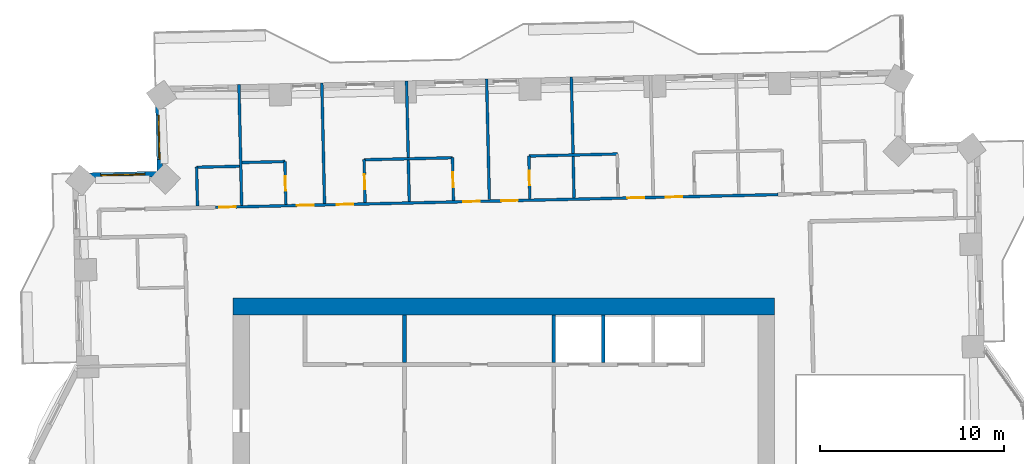
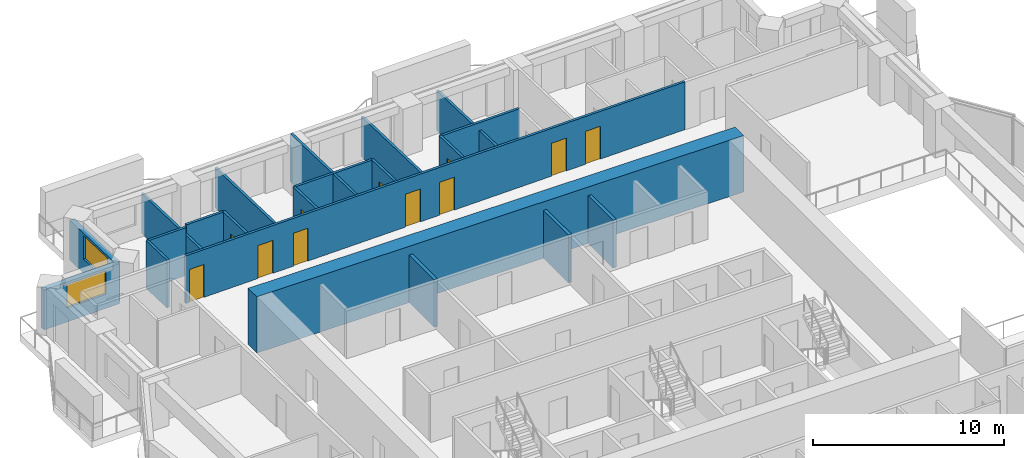
# One storey, part 8 of 14: 21 walls, 11 doors, 2 windows, 13 openings.
"""IFC4 building model written with IfcOpenShell, lengths in metres."""

from ifc_helpers import new_model, si_unit, direction, frame, frame_2d, origin, place, context, subcontext, project, spatial, rectangle, extrude, material, layer, layer_set, type_object, element, fill, save


model = new_model("IFC4")

# Units and contexts
model_context = context("Model", 3, precision=1e-05, world=origin(), true_north=direction((0.0, 1.0)))
body_context = subcontext(model_context, "Body", "Model", "MODEL_VIEW")
ifc_project = project(units=[si_unit("LENGTHUNIT", "METRE"), si_unit("AREAUNIT", "SQUARE_METRE"), si_unit("VOLUMEUNIT", "CUBIC_METRE"), si_unit("PLANEANGLEUNIT", "RADIAN"), si_unit("MASSUNIT", "GRAM", prefix="KILO")], contexts=[model_context])

# Site, building, storey
site_placement = place(None, origin())
site = spatial("IfcSite", under=ifc_project, at=site_placement, CompositionType="ELEMENT")
building_placement = place(site_placement, origin())
building = spatial("IfcBuilding", under=site, at=building_placement, Name="Mangrove Gate Tower", CompositionType="ELEMENT")
storey_placement = place(building_placement, frame((0.0, 0.0, 182.5)))
storey = spatial("IfcBuildingStorey", under=building, at=storey_placement, Name="L46", CompositionType="ELEMENT", Elevation=182.5)

# Walls
ifc_material_1 = material(Name="Concrete C32/40", Category="concrete")
ifc_layer_1 = layer(ifc_material_1, 0.199951171875)
ifc_layer_set_1 = layer_set([ifc_layer_1], Name="Core room wall 200 C32/40")
wall_type_1 = type_object("IfcWallType", Name="Core room wall 200 C32/40", PredefinedType="STANDARD", material=ifc_layer_set_1)
wall_1_placement = place(storey_placement, frame((-5.39990234375, 8.199951171875, 0.0), z_axis=(0.0, 0.0, 1.0), x_axis=(0.0, 1.0, 0.0)))
element("IfcWall", 1, at=wall_1_placement, inside=storey, type_object=wall_type_1, Name="WALL-L46-CORE-26", PredefinedType="STANDARD", context=body_context, shape_type="SweptSolid", body=[
    extrude(rectangle(XDim=2.60009765625, YDim=0.199951171875, at=frame_2d((1.300048828125, 0.0))), origin(), (0.0, 0.0, 1.0), 3.050048828125),
])
ifc_material_2 = material(Name="Concrete C60/75", Category="concrete")
ifc_layer_2 = layer(ifc_material_2, 0.199951171875)
ifc_layer_set_2 = layer_set([ifc_layer_2], Name="Core shaft wall 200 C60/75")
wall_type_2 = type_object("IfcWallType", Name="Core shaft wall 200 C60/75", PredefinedType="SHEAR", material=ifc_layer_set_2)
for number, where, z_axis, x_axis, name in (
    (2, (2.699951171875, 8.199951171875, 0.0), (0.0, 0.0, 1.0), (0.0, 1.0, 0.0), "WALL-L46-CORE-27"),
    (3, (5.39990234375, 8.199951171875, 0.0), (0.0, 0.0, 1.0), (0.0, 1.0, 0.0), "WALL-L46-CORE-28"),
):
    element("IfcWall", number, at=place(storey_placement, frame(where, z_axis=z_axis, x_axis=x_axis)), inside=storey, type_object=wall_type_2, Name=name, PredefinedType="SHEAR", context=body_context, shape_type="SweptSolid", body=[
        extrude(rectangle(XDim=2.60009765625, YDim=0.199951171875, at=frame_2d((1.300048828125, 0.0))), origin(), (0.0, 0.0, 1.0), 3.050048828125),
    ])
ifc_material_3 = material(Name="Concrete C60/75", Category="concrete")
ifc_layer_3 = layer(ifc_material_3, 0.89990234375)
ifc_layer_set_3 = layer_set([ifc_layer_3], Name="Core wall 900 C60/75")
wall_type_3 = type_object("IfcWallType", Name="Core wall 900 C60/75", PredefinedType="SHEAR", material=ifc_layer_set_3)
wall_2_placement = place(storey_placement, frame((-14.699951171875, 11.25, 0.0), z_axis=(0.0, 0.0, 1.0), x_axis=(1.0, 0.0, 0.0)))
element("IfcWall", 4, at=wall_2_placement, inside=storey, type_object=wall_type_3, Name="WALL-L46-CORE-2", PredefinedType="SHEAR", context=body_context, shape_type="SweptSolid", body=[
    extrude(rectangle(XDim=29.39990234375, YDim=0.89990234375, at=frame_2d((14.699951171875, 0.0))), origin(), (0.0, 0.0, 1.0), 3.60009765625),
])

# Wall, opening, window
ifc_material_4 = material(Name="Limestone", Category="masonry")
ifc_layer_4 = layer(ifc_material_4, 0.0400390625, Name="Limestone cladding")
ifc_material_5 = material(Name="Ventilated air gap")
ifc_layer_5 = layer(ifc_material_5, 0.0400390625, Name="Ventilated cavity")
ifc_material_6 = material(Name="Mineral wool insulation")
ifc_layer_6 = layer(ifc_material_6, 0.06005859375, Name="Insulation")
ifc_material_7 = material(Name="Breather membrane")
ifc_layer_7 = layer(ifc_material_7, 0.001953125, Name="Breather membrane")
ifc_material_8 = material(Name="Concrete C20/25 blockwork", Category="masonry")
ifc_layer_8 = layer(ifc_material_8, 0.14990234375, Name="Blockwork backing wall")
ifc_material_9 = material(Name="Gypsum plaster")
ifc_layer_9 = layer(ifc_material_9, 0.008056640625, Name="Internal plaster")
ifc_layer_set_4 = layer_set([ifc_layer_4, ifc_layer_5, ifc_layer_6, ifc_layer_7, ifc_layer_8, ifc_layer_9], Name="External wall 300 limestone cladding")
wall_type_4 = type_object("IfcWallType", Name="External wall 300 limestone cladding", PredefinedType="SOLIDWALL", material=ifc_layer_set_4)
wall_3_placement = place(storey_placement, frame((-18.781005859375, 23.04296875, 0.0), z_axis=(0.0, 0.0, 1.0), x_axis=(0.022821468877, -0.999739556364, 0.0)))
wall_3 = element("IfcWall", 5, at=wall_3_placement, inside=storey, type_object=wall_type_4, Name="WALL-L46-W6", PredefinedType="SOLIDWALL", context=body_context, shape_type="SweptSolid", body=[
    extrude(rectangle(XDim=4.60009765625, YDim=0.300048828125, at=frame_2d((2.300048828125, 0.0))), origin(), (0.0, 0.0, 1.0), 2.550048828125),
])
opening_1_placement = place(wall_3_placement, frame((1.403076171875, 0.0, 0.89990234375)))
opening_1 = element("IfcOpeningElement", 6, at=opening_1_placement, cuts=wall_3, Name="Opening W2", PredefinedType="OPENING", context=body_context, shape_type="SweptSolid", body=[
    extrude(rectangle(XDim=2.39990234375, YDim=1.5, at=frame_2d((1.199951171875, 0.75))), frame((0.0, 0.159912109375, 0.0), z_axis=(0.0, -1.0, 0.0), x_axis=(1.0, 0.0, 0.0)), (0.0, 0.0, 1.0), 0.320068359375),
])
ifc_material_10 = material(Name="Aluminium frame with double-glazed low-e glass", Category="aluminium")
window_type = type_object("IfcWindowType", Name="Corner room window 2400x1500", PartitioningType="DOUBLE_PANEL_VERTICAL", PredefinedType="WINDOW", material=ifc_material_10)
window_1_placement = place(opening_1_placement, origin())
window_1 = element("IfcWindow", 7, at=window_1_placement, inside=storey, type_object=window_type, Name="WIN-L46-W6-1", OverallHeight=1.5, OverallWidth=2.39990234375, PartitioningType="DOUBLE_PANEL_VERTICAL", PredefinedType="WINDOW", context=body_context, shape_type="SweptSolid", body=[
    extrude(rectangle(XDim=2.39990234375, YDim=1.5, at=frame_2d((1.199951171875, 0.75))), frame((0.0, 0.030029296875, 0.0), z_axis=(0.0, -1.0, 0.0), x_axis=(1.0, 0.0, 0.0)), (0.0, 0.0, 1.0), 0.06005859375),
])
fill(opening_1, window_1)

wall_4_placement = place(storey_placement, frame((-18.676025390625, 18.444091796875, 0.0), z_axis=(0.0, 0.0, 1.0), x_axis=(-0.999744377441, -0.022609285172, 0.0)))
wall_4 = element("IfcWall", 8, at=wall_4_placement, inside=storey, type_object=wall_type_4, Name="WALL-L46-N7", PredefinedType="SOLIDWALL", context=body_context, shape_type="SweptSolid", body=[
    extrude(rectangle(XDim=4.60009765625, YDim=0.300048828125, at=frame_2d((2.300048828125, 0.0))), origin(), (0.0, 0.0, 1.0), 2.550048828125),
])
opening_2_placement = place(wall_4_placement, frame((0.81298828125, 0.0, 0.89990234375)))
opening_2 = element("IfcOpeningElement", 9, at=opening_2_placement, cuts=wall_4, Name="Opening W2", PredefinedType="OPENING", context=body_context, shape_type="SweptSolid", body=[
    extrude(rectangle(XDim=2.39990234375, YDim=1.5, at=frame_2d((1.199951171875, 0.75))), frame((0.0, 0.159912109375, 0.0), z_axis=(0.0, -1.0, 0.0), x_axis=(1.0, 0.0, 0.0)), (0.0, 0.0, 1.0), 0.320068359375),
])
window_2_placement = place(opening_2_placement, origin())
window_2 = element("IfcWindow", 10, at=window_2_placement, inside=storey, type_object=window_type, Name="WIN-L46-N7-1", OverallHeight=1.5, OverallWidth=2.39990234375, PartitioningType="DOUBLE_PANEL_VERTICAL", PredefinedType="WINDOW", context=body_context, shape_type="SweptSolid", body=[
    extrude(rectangle(XDim=2.39990234375, YDim=1.5, at=frame_2d((1.199951171875, 0.75))), frame((0.0, 0.030029296875, 0.0), z_axis=(0.0, -1.0, 0.0), x_axis=(1.0, 0.0, 0.0)), (0.0, 0.0, 1.0), 0.06005859375),
])
fill(opening_2, window_2)

# Wall, openings, doors
ifc_material_11 = material(Name="Gypsum board on steel stud, EI 60", Category="steel")
ifc_layer_10 = layer(ifc_material_11, 0.14990234375)
ifc_layer_set_5 = layer_set([ifc_layer_10], Name="Party wall 150 EI 60")
wall_type_5 = type_object("IfcWallType", Name="Party wall 150 EI 60", PredefinedType="PARTITIONING", material=ifc_layer_set_5)
wall_5_placement = place(storey_placement, frame((-15.64892578125, 16.633056640625, 0.0), z_axis=(0.0, 0.0, 1.0), x_axis=(0.999743261737, 0.022658565952, 0.0)))
wall_5 = element("IfcWall", 11, at=wall_5_placement, inside=storey, type_object=wall_type_5, Name="WALL-L46-049", PredefinedType="PARTITIONING", context=body_context, shape_type="SweptSolid", body=[
    extrude(rectangle(XDim=30.53564453125, YDim=0.14990234375, at=frame_2d((15.267822265625, 0.0))), origin(), (0.0, 0.0, 1.0), 3.050048828125),
])
opening_3_placement = place(wall_5_placement, frame((24.43994140625, 0.0, 0.0)))
opening_3 = element("IfcOpeningElement", 12, at=opening_3_placement, cuts=wall_5, Name="Opening BD", PredefinedType="OPENING", context=body_context, shape_type="SweptSolid", body=[
    extrude(rectangle(XDim=0.89990234375, YDim=2.10009765625, at=frame_2d((0.449951171875, 1.050048828125))), frame((0.0, 0.0849609375, 0.0), z_axis=(0.0, -1.0, 0.0), x_axis=(1.0, 0.0, 0.0)), (0.0, 0.0, 1.0), 0.169921875),
])
opening_4_placement = place(wall_5_placement, frame((22.364990234375, 0.0, 0.0)))
opening_4 = element("IfcOpeningElement", 13, at=opening_4_placement, cuts=wall_5, Name="Opening BD", PredefinedType="OPENING", context=body_context, shape_type="SweptSolid", body=[
    extrude(rectangle(XDim=0.89990234375, YDim=2.10009765625, at=frame_2d((0.449951171875, 1.050048828125))), frame((0.0, 0.0849609375, 0.0), z_axis=(0.0, -1.0, 0.0), x_axis=(1.0, 0.0, 0.0)), (0.0, 0.0, 1.0), 0.169921875),
])
opening_5_placement = place(wall_5_placement, frame((15.514892578125, 0.0, 0.0)))
opening_5 = element("IfcOpeningElement", 14, at=opening_5_placement, cuts=wall_5, Name="Opening BD", PredefinedType="OPENING", context=body_context, shape_type="SweptSolid", body=[
    extrude(rectangle(XDim=0.89990234375, YDim=2.10009765625, at=frame_2d((0.449951171875, 1.050048828125))), frame((0.0, 0.0849609375, 0.0), z_axis=(0.0, -1.0, 0.0), x_axis=(1.0, 0.0, 0.0)), (0.0, 0.0, 1.0), 0.169921875),
])
opening_6_placement = place(wall_5_placement, frame((13.43994140625, 0.0, 0.0)))
opening_6 = element("IfcOpeningElement", 15, at=opening_6_placement, cuts=wall_5, Name="Opening BD", PredefinedType="OPENING", context=body_context, shape_type="SweptSolid", body=[
    extrude(rectangle(XDim=0.89990234375, YDim=2.10009765625, at=frame_2d((0.449951171875, 1.050048828125))), frame((0.0, 0.0849609375, 0.0), z_axis=(0.0, -1.0, 0.0), x_axis=(1.0, 0.0, 0.0)), (0.0, 0.0, 1.0), 0.169921875),
])
opening_7_placement = place(wall_5_placement, frame((6.56494140625, 0.0, 0.0)))
opening_7 = element("IfcOpeningElement", 16, at=opening_7_placement, cuts=wall_5, Name="Opening BD", PredefinedType="OPENING", context=body_context, shape_type="SweptSolid", body=[
    extrude(rectangle(XDim=0.89990234375, YDim=2.10009765625, at=frame_2d((0.449951171875, 1.050048828125))), frame((0.0, 0.0849609375, 0.0), z_axis=(0.0, -1.0, 0.0), x_axis=(1.0, 0.0, 0.0)), (0.0, 0.0, 1.0), 0.169921875),
])
opening_8_placement = place(wall_5_placement, frame((4.4150390625, 0.0, 0.0)))
opening_8 = element("IfcOpeningElement", 17, at=opening_8_placement, cuts=wall_5, Name="Opening BD", PredefinedType="OPENING", context=body_context, shape_type="SweptSolid", body=[
    extrude(rectangle(XDim=0.89990234375, YDim=2.10009765625, at=frame_2d((0.449951171875, 1.050048828125))), frame((0.0, 0.0849609375, 0.0), z_axis=(0.0, -1.0, 0.0), x_axis=(1.0, 0.0, 0.0)), (0.0, 0.0, 1.0), 0.169921875),
])
opening_9_placement = place(wall_5_placement, frame((0.199951171875, 0.0, 0.0)))
opening_9 = element("IfcOpeningElement", 18, at=opening_9_placement, cuts=wall_5, Name="Opening SD", PredefinedType="OPENING", context=body_context, shape_type="SweptSolid", body=[
    extrude(rectangle(XDim=0.89990234375, YDim=2.10009765625, at=frame_2d((0.449951171875, 1.050048828125))), frame((0.0, 0.0849609375, 0.0), z_axis=(0.0, -1.0, 0.0), x_axis=(1.0, 0.0, 0.0)), (0.0, 0.0, 1.0), 0.169921875),
])
ifc_material_12 = material(Name="Timber door leaf", Category="wood")
door_type_1 = type_object("IfcDoorType", Name="Bedroom door 900", OperationType="SINGLE_SWING_LEFT", PredefinedType="DOOR", material=ifc_material_12)
door_1_placement = place(opening_3_placement, origin())
door_1 = element("IfcDoor", 19, at=door_1_placement, inside=storey, type_object=door_type_1, Name="DOOR-L46-BED-c309", OperationType="SINGLE_SWING_LEFT", OverallHeight=2.10009765625, OverallWidth=0.89990234375, PredefinedType="DOOR", context=body_context, shape_type="SweptSolid", body=[
    extrude(rectangle(XDim=0.89990234375, YDim=2.10009765625, at=frame_2d((0.449951171875, 1.050048828125))), frame((0.0, 0.02490234375, 0.0), z_axis=(0.0, -1.0, 0.0), x_axis=(1.0, 0.0, 0.0)), (0.0, 0.0, 1.0), 0.050048828125),
])
fill(opening_3, door_1)
door_2_placement = place(opening_4_placement, origin())
door_2 = element("IfcDoor", 20, at=door_2_placement, inside=storey, type_object=door_type_1, Name="DOOR-L46-BED-c410", OperationType="SINGLE_SWING_RIGHT", OverallHeight=2.10009765625, OverallWidth=0.89990234375, PredefinedType="DOOR", context=body_context, shape_type="SweptSolid", body=[
    extrude(rectangle(XDim=0.89990234375, YDim=2.10009765625, at=frame_2d((0.449951171875, 1.050048828125))), frame((0.0, 0.02490234375, 0.0), z_axis=(0.0, -1.0, 0.0), x_axis=(1.0, 0.0, 0.0)), (0.0, 0.0, 1.0), 0.050048828125),
])
fill(opening_4, door_2)
door_3_placement = place(opening_5_placement, origin())
door_3 = element("IfcDoor", 21, at=door_3_placement, inside=storey, type_object=door_type_1, Name="DOOR-L46-BED-c411", OperationType="SINGLE_SWING_LEFT", OverallHeight=2.10009765625, OverallWidth=0.89990234375, PredefinedType="DOOR", context=body_context, shape_type="SweptSolid", body=[
    extrude(rectangle(XDim=0.89990234375, YDim=2.10009765625, at=frame_2d((0.449951171875, 1.050048828125))), frame((0.0, 0.02490234375, 0.0), z_axis=(0.0, -1.0, 0.0), x_axis=(1.0, 0.0, 0.0)), (0.0, 0.0, 1.0), 0.050048828125),
])
fill(opening_5, door_3)
door_4_placement = place(opening_6_placement, origin())
door_4 = element("IfcDoor", 22, at=door_4_placement, inside=storey, type_object=door_type_1, Name="DOOR-L46-BED-c412", OperationType="SINGLE_SWING_RIGHT", OverallHeight=2.10009765625, OverallWidth=0.89990234375, PredefinedType="DOOR", context=body_context, shape_type="SweptSolid", body=[
    extrude(rectangle(XDim=0.89990234375, YDim=2.10009765625, at=frame_2d((0.449951171875, 1.050048828125))), frame((0.0, 0.02490234375, 0.0), z_axis=(0.0, -1.0, 0.0), x_axis=(1.0, 0.0, 0.0)), (0.0, 0.0, 1.0), 0.050048828125),
])
fill(opening_6, door_4)
door_5_placement = place(opening_7_placement, origin())
door_5 = element("IfcDoor", 23, at=door_5_placement, inside=storey, type_object=door_type_1, Name="DOOR-L46-BED-c513", OperationType="SINGLE_SWING_LEFT", OverallHeight=2.10009765625, OverallWidth=0.89990234375, PredefinedType="DOOR", context=body_context, shape_type="SweptSolid", body=[
    extrude(rectangle(XDim=0.89990234375, YDim=2.10009765625, at=frame_2d((0.449951171875, 1.050048828125))), frame((0.0, 0.02490234375, 0.0), z_axis=(0.0, -1.0, 0.0), x_axis=(1.0, 0.0, 0.0)), (0.0, 0.0, 1.0), 0.050048828125),
])
fill(opening_7, door_5)
door_6_placement = place(opening_8_placement, origin())
door_6 = element("IfcDoor", 24, at=door_6_placement, inside=storey, type_object=door_type_1, Name="DOOR-L46-BED-c514", OperationType="SINGLE_SWING_RIGHT", OverallHeight=2.10009765625, OverallWidth=0.89990234375, PredefinedType="DOOR", context=body_context, shape_type="SweptSolid", body=[
    extrude(rectangle(XDim=0.89990234375, YDim=2.10009765625, at=frame_2d((0.449951171875, 1.050048828125))), frame((0.0, 0.02490234375, 0.0), z_axis=(0.0, -1.0, 0.0), x_axis=(1.0, 0.0, 0.0)), (0.0, 0.0, 1.0), 0.050048828125),
])
fill(opening_8, door_6)
ifc_material_13 = material(Name="Timber door leaf", Category="wood")
door_type_2 = type_object("IfcDoorType", Name="Service room door 900", OperationType="SINGLE_SWING_LEFT", PredefinedType="DOOR", material=ifc_material_13)
door_7_placement = place(opening_9_placement, origin())
door_7 = element("IfcDoor", 25, at=door_7_placement, inside=storey, type_object=door_type_2, Name="DOOR-L46-LIN-c5a", OperationType="SINGLE_SWING_RIGHT", OverallHeight=2.10009765625, OverallWidth=0.89990234375, PredefinedType="DOOR", context=body_context, shape_type="SweptSolid", body=[
    extrude(rectangle(XDim=0.89990234375, YDim=2.10009765625, at=frame_2d((0.449951171875, 1.050048828125))), frame((0.0, 0.02490234375, 0.0), z_axis=(0.0, -1.0, 0.0), x_axis=(1.0, 0.0, 0.0)), (0.0, 0.0, 1.0), 0.050048828125),
])
fill(opening_9, door_7)

# Walls
wall_6_placement = place(storey_placement, frame((-16.635986328125, 16.714111328125, 0.0), z_axis=(0.0, 0.0, 1.0), x_axis=(-0.022898307927, 0.999737799372, 0.0)))
element("IfcWall", 26, at=wall_6_placement, inside=storey, type_object=wall_type_5, Name="WALL-L46-051", PredefinedType="PARTITIONING", context=body_context, shape_type="SweptSolid", body=[
    extrude(rectangle(XDim=2.100341796875, YDim=0.14990234375, at=frame_2d((1.05029296875, 0.0))), origin(), (0.0, 0.0, 1.0), 3.050048828125),
])
wall_7_placement = place(storey_placement, frame((-14.237060546875, 16.743896484375, 0.0), z_axis=(0.0, 0.0, 1.0), x_axis=(-0.022585104341, 0.999744923999, 0.0)))
element("IfcWall", 27, at=wall_7_placement, inside=storey, type_object=wall_type_5, Name="WALL-L46-052", PredefinedType="PARTITIONING", context=body_context, shape_type="SweptSolid", body=[
    extrude(rectangle(XDim=6.55078125, YDim=0.14990234375, at=frame_2d((3.275390625, 0.0))), origin(), (0.0, 0.0, 1.0), 2.550048828125),
])

# Wall, opening, door
wall_8_placement = place(storey_placement, frame((-11.8369140625, 16.798095703125, 0.0), z_axis=(0.0, 0.0, 1.0), x_axis=(-0.02279059109, 0.999740260747, 0.0)))
wall_8 = element("IfcWall", 28, at=wall_8_placement, inside=storey, type_object=wall_type_5, Name="WALL-L46-053", PredefinedType="PARTITIONING", context=body_context, shape_type="SweptSolid", body=[
    extrude(rectangle(XDim=2.324462890625, YDim=0.14990234375, at=frame_2d((1.162109375, 0.0))), origin(), (0.0, 0.0, 1.0), 3.050048828125),
])
opening_10_placement = place(wall_8_placement, frame((0.72509765625, 0.0, 0.0)))
opening_10 = element("IfcOpeningElement", 29, at=opening_10_placement, cuts=wall_8, Name="Opening ED", PredefinedType="OPENING", context=body_context, shape_type="SweptSolid", body=[
    extrude(rectangle(XDim=0.800048828125, YDim=2.10009765625, at=frame_2d((0.39990234375, 1.050048828125))), frame((0.0, 0.0849609375, 0.0), z_axis=(0.0, -1.0, 0.0), x_axis=(1.0, 0.0, 0.0)), (0.0, 0.0, 1.0), 0.169921875),
])
ifc_material_14 = material(Name="Timber door leaf", Category="wood")
door_type_3 = type_object("IfcDoorType", Name="En-suite door 800", OperationType="SINGLE_SWING_LEFT", PredefinedType="DOOR", material=ifc_material_14)
door_8_placement = place(opening_10_placement, origin())
door_8 = element("IfcDoor", 30, at=door_8_placement, inside=storey, type_object=door_type_3, Name="DOOR-L46-ENS-c514", OperationType="SINGLE_SWING_RIGHT", OverallHeight=2.10009765625, OverallWidth=0.800048828125, PredefinedType="DOOR", context=body_context, shape_type="SweptSolid", body=[
    extrude(rectangle(XDim=0.800048828125, YDim=2.10009765625, at=frame_2d((0.39990234375, 1.050048828125))), frame((0.0, 0.02490234375, 0.0), z_axis=(0.0, -1.0, 0.0), x_axis=(1.0, 0.0, 0.0)), (0.0, 0.0, 1.0), 0.050048828125),
])
fill(opening_10, door_8)

# Wall
wall_9_placement = place(storey_placement, frame((-9.738037109375, 16.845947265625, 0.0), z_axis=(0.0, 0.0, 1.0), x_axis=(-0.022585104341, 0.999744923999, 0.0)))
element("IfcWall", 31, at=wall_9_placement, inside=storey, type_object=wall_type_5, Name="WALL-L46-054", PredefinedType="PARTITIONING", context=body_context, shape_type="SweptSolid", body=[
    extrude(rectangle(XDim=6.55078125, YDim=0.14990234375, at=frame_2d((3.275390625, 0.0))), origin(), (0.0, 0.0, 1.0), 2.550048828125),
])

# Wall, opening, door
wall_10_placement = place(storey_placement, frame((-7.5380859375, 16.89599609375, 0.0), z_axis=(0.0, 0.0, 1.0), x_axis=(-0.02279059109, 0.999740260747, 0.0)))
wall_10 = element("IfcWall", 32, at=wall_10_placement, inside=storey, type_object=wall_type_5, Name="WALL-L46-055", PredefinedType="PARTITIONING", context=body_context, shape_type="SweptSolid", body=[
    extrude(rectangle(XDim=2.324462890625, YDim=0.14990234375, at=frame_2d((1.162109375, 0.0))), origin(), (0.0, 0.0, 1.0), 3.050048828125),
])
opening_11_placement = place(wall_10_placement, frame((0.72509765625, 0.0, 0.0)))
opening_11 = element("IfcOpeningElement", 33, at=opening_11_placement, cuts=wall_10, Name="Opening ED", PredefinedType="OPENING", context=body_context, shape_type="SweptSolid", body=[
    extrude(rectangle(XDim=0.800048828125, YDim=2.10009765625, at=frame_2d((0.39990234375, 1.050048828125))), frame((0.0, 0.0849609375, 0.0), z_axis=(0.0, -1.0, 0.0), x_axis=(1.0, 0.0, 0.0)), (0.0, 0.0, 1.0), 0.169921875),
])
door_9_placement = place(opening_11_placement, origin())
door_9 = element("IfcDoor", 34, at=door_9_placement, inside=storey, type_object=door_type_3, Name="DOOR-L46-ENS-c513", OperationType="SINGLE_SWING_LEFT", OverallHeight=2.10009765625, OverallWidth=0.800048828125, PredefinedType="DOOR", context=body_context, shape_type="SweptSolid", body=[
    extrude(rectangle(XDim=0.800048828125, YDim=2.10009765625, at=frame_2d((0.39990234375, 1.050048828125))), frame((0.0, 0.02490234375, 0.0), z_axis=(0.0, -1.0, 0.0), x_axis=(1.0, 0.0, 0.0)), (0.0, 0.0, 1.0), 0.050048828125),
])
fill(opening_11, door_9)

# Wall
wall_11_placement = place(storey_placement, frame((-5.138916015625, 16.949951171875, 0.0), z_axis=(0.0, 0.0, 1.0), x_axis=(-0.022622354432, 0.999744081793, 0.0)))
element("IfcWall", 35, at=wall_11_placement, inside=storey, type_object=wall_type_5, Name="WALL-L46-056", PredefinedType="PARTITIONING", context=body_context, shape_type="SweptSolid", body=[
    extrude(rectangle(XDim=6.55078125, YDim=0.14990234375, at=frame_2d((3.275390625, 0.0))), origin(), (0.0, 0.0, 1.0), 3.050048828125),
])

# Wall, opening, door
wall_12_placement = place(storey_placement, frame((-2.739013671875, 17.0048828125, 0.0), z_axis=(0.0, 0.0, 1.0), x_axis=(-0.022788198363, 0.99974031529, 0.0)))
wall_12 = element("IfcWall", 36, at=wall_12_placement, inside=storey, type_object=wall_type_5, Name="WALL-L46-057", PredefinedType="PARTITIONING", context=body_context, shape_type="SweptSolid", body=[
    extrude(rectangle(XDim=2.32470703125, YDim=0.14990234375, at=frame_2d((1.162353515625, 0.0))), origin(), (0.0, 0.0, 1.0), 3.050048828125),
])
opening_12_placement = place(wall_12_placement, frame((0.72509765625, 0.0, 0.0)))
opening_12 = element("IfcOpeningElement", 37, at=opening_12_placement, cuts=wall_12, Name="Opening ED", PredefinedType="OPENING", context=body_context, shape_type="SweptSolid", body=[
    extrude(rectangle(XDim=0.800048828125, YDim=2.10009765625, at=frame_2d((0.39990234375, 1.050048828125))), frame((0.0, 0.0849609375, 0.0), z_axis=(0.0, -1.0, 0.0), x_axis=(1.0, 0.0, 0.0)), (0.0, 0.0, 1.0), 0.169921875),
])
door_10_placement = place(opening_12_placement, origin())
door_10 = element("IfcDoor", 38, at=door_10_placement, inside=storey, type_object=door_type_3, Name="DOOR-L46-ENS-c412", OperationType="SINGLE_SWING_RIGHT", OverallHeight=2.10009765625, OverallWidth=0.800048828125, PredefinedType="DOOR", context=body_context, shape_type="SweptSolid", body=[
    extrude(rectangle(XDim=0.800048828125, YDim=2.10009765625, at=frame_2d((0.39990234375, 1.050048828125))), frame((0.0, 0.02490234375, 0.0), z_axis=(0.0, -1.0, 0.0), x_axis=(1.0, 0.0, 0.0)), (0.0, 0.0, 1.0), 0.050048828125),
])
fill(opening_12, door_10)

# Wall
wall_13_placement = place(storey_placement, frame((-0.7900390625, 17.049072265625, 0.0), z_axis=(0.0, 0.0, 1.0), x_axis=(-0.022734951231, 0.999741527592, 0.0)))
element("IfcWall", 39, at=wall_13_placement, inside=storey, type_object=wall_type_5, Name="WALL-L46-058", PredefinedType="PARTITIONING", context=body_context, shape_type="SweptSolid", body=[
    extrude(rectangle(XDim=6.550537109375, YDim=0.14990234375, at=frame_2d((3.275390625, 0.0))), origin(), (0.0, 0.0, 1.0), 2.550048828125),
])

# Wall, opening, door
wall_14_placement = place(storey_placement, frame((1.408935546875, 17.09912109375, 0.0), z_axis=(0.0, 0.0, 1.0), x_axis=(-0.022370700241, 0.999749744571, 0.0)))
wall_14 = element("IfcWall", 40, at=wall_14_placement, inside=storey, type_object=wall_type_5, Name="WALL-L46-059", PredefinedType="PARTITIONING", context=body_context, shape_type="SweptSolid", body=[
    extrude(rectangle(XDim=2.324462890625, YDim=0.14990234375, at=frame_2d((1.162109375, 0.0))), origin(), (0.0, 0.0, 1.0), 3.050048828125),
])
opening_13_placement = place(wall_14_placement, frame((0.72509765625, 0.0, 0.0)))
opening_13 = element("IfcOpeningElement", 41, at=opening_13_placement, cuts=wall_14, Name="Opening ED", PredefinedType="OPENING", context=body_context, shape_type="SweptSolid", body=[
    extrude(rectangle(XDim=0.800048828125, YDim=2.10009765625, at=frame_2d((0.39990234375, 1.050048828125))), frame((0.0, 0.0849609375, 0.0), z_axis=(0.0, -1.0, 0.0), x_axis=(1.0, 0.0, 0.0)), (0.0, 0.0, 1.0), 0.169921875),
])
door_11_placement = place(opening_13_placement, origin())
door_11 = element("IfcDoor", 42, at=door_11_placement, inside=storey, type_object=door_type_3, Name="DOOR-L46-ENS-c411", OperationType="SINGLE_SWING_LEFT", OverallHeight=2.10009765625, OverallWidth=0.800048828125, PredefinedType="DOOR", context=body_context, shape_type="SweptSolid", body=[
    extrude(rectangle(XDim=0.800048828125, YDim=2.10009765625, at=frame_2d((0.39990234375, 1.050048828125))), frame((0.0, 0.02490234375, 0.0), z_axis=(0.0, -1.0, 0.0), x_axis=(1.0, 0.0, 0.0)), (0.0, 0.0, 1.0), 0.050048828125),
])
fill(opening_13, door_11)

# Walls
wall_15_placement = place(storey_placement, frame((3.80908203125, 17.153076171875, 0.0), z_axis=(0.0, 0.0, 1.0), x_axis=(-0.022772202332, 0.999740679777, 0.0)))
element("IfcWall", 43, at=wall_15_placement, inside=storey, type_object=wall_type_5, Name="WALL-L46-060", PredefinedType="PARTITIONING", context=body_context, shape_type="SweptSolid", body=[
    extrude(rectangle(XDim=6.550537109375, YDim=0.14990234375, at=frame_2d((3.275390625, 0.0))), origin(), (0.0, 0.0, 1.0), 2.550048828125),
])
wall_16_placement = place(storey_placement, frame((-16.68408203125, 18.81005859375, 0.0), z_axis=(0.0, 0.0, 1.0), x_axis=(0.999749744571, 0.022370700241, 0.0)))
element("IfcWall", 44, at=wall_16_placement, inside=storey, type_object=wall_type_5, Name="WALL-L46-068", PredefinedType="PARTITIONING", context=body_context, shape_type="SweptSolid", body=[
    extrude(rectangle(XDim=2.324462890625, YDim=0.14990234375, at=frame_2d((1.162109375, 0.0))), origin(), (0.0, 0.0, 1.0), 3.050048828125),
])
wall_17_placement = place(storey_placement, frame((-14.214111328125, 19.06591796875, 0.0), z_axis=(0.0, 0.0, 1.0), x_axis=(0.999749797124, 0.022368351553, 0.0)))
element("IfcWall", 45, at=wall_17_placement, inside=storey, type_object=wall_type_5, Name="WALL-L46-069", PredefinedType="PARTITIONING", context=body_context, shape_type="SweptSolid", body=[
    extrude(rectangle(XDim=2.32470703125, YDim=0.14990234375, at=frame_2d((1.162353515625, 0.0))), origin(), (0.0, 0.0, 1.0), 3.050048828125),
])
for number, where, z_axis, x_axis, name in (
    (46, (-7.591064453125, 19.216064453125, 0.0), (0.0, 0.0, 1.0), (0.999742701292, 0.022683280499, 0.0), "WALL-L46-070"),
    (47, (1.35693359375, 19.4189453125, 0.0), (0.0, 0.0, 1.0), (0.99974154664, 0.022734113616, 0.0), "WALL-L46-071"),
):
    element("IfcWall", number, at=place(storey_placement, frame(where, z_axis=z_axis, x_axis=x_axis)), inside=storey, type_object=wall_type_5, Name=name, PredefinedType="PARTITIONING", context=body_context, shape_type="SweptSolid", body=[
        extrude(rectangle(XDim=4.80029296875, YDim=0.14990234375, at=frame_2d((2.400146484375, 0.0))), origin(), (0.0, 0.0, 1.0), 3.050048828125),
    ])

save(model, "model.ifc")
